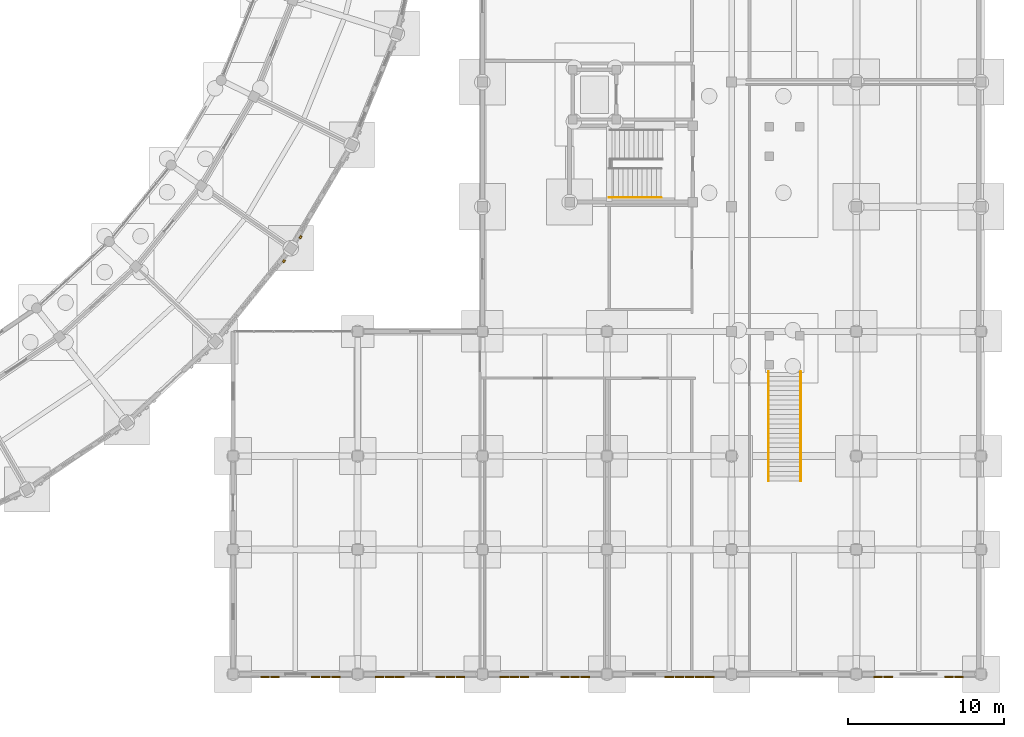
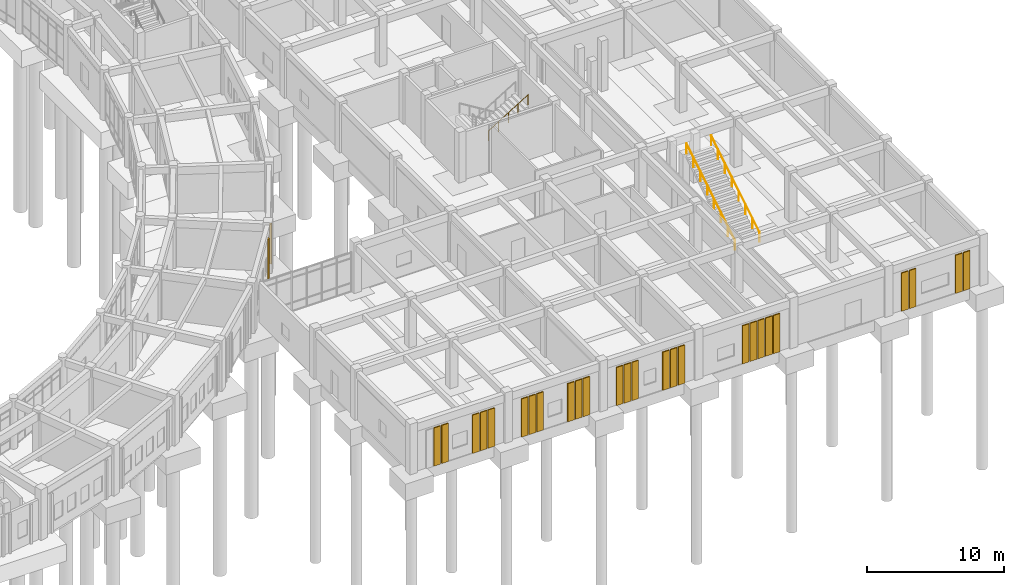
# One storey, part 150 of 153: 26 shading devices, 3 railings, 2 coverings.
"""IFC4 building model written with IfcOpenShell, lengths in metres."""

from ifc_helpers import new_model, si_unit, direction, frame, origin, origin_2d, place, context, subcontext, project, spatial, rectangle, circle, extrude, material, layer, layer_set, type_object, element, save


model = new_model("IFC4")

# Units and contexts
model_context = context("Model", 3, precision=1e-05, world=origin(), true_north=direction((0.0, 1.0)))
body_context = subcontext(model_context, "Body", "Model", "MODEL_VIEW")
ifc_project = project(units=[si_unit("LENGTHUNIT", "METRE"), si_unit("AREAUNIT", "SQUARE_METRE"), si_unit("VOLUMEUNIT", "CUBIC_METRE"), si_unit("PLANEANGLEUNIT", "RADIAN"), si_unit("MASSUNIT", "GRAM", prefix="KILO")], contexts=[model_context])

# Site, building, storey
site_placement = place(None, origin())
site = spatial("IfcSite", under=ifc_project, at=site_placement, CompositionType="ELEMENT")
building_placement = place(site_placement, origin())
building = spatial("IfcBuilding", under=site, at=building_placement, Name="Celadon Cloister-Ring School", CompositionType="ELEMENT")
storey_placement = place(building_placement, origin())
storey = spatial("IfcBuildingStorey", under=building, at=storey_placement, Name="L00", CompositionType="ELEMENT", Elevation=0.0)

# Coverings
ifc_material_1 = material(Name="Perforated terracotta clay brick masonry", Category="masonry")
ifc_layer = layer(ifc_material_1, 0.139892578125)
ifc_layer_set = layer_set([ifc_layer], Name="Perforated terracotta clay brick masonry")
covering_type = type_object("IfcCoveringType", Name="CV-SC1", PredefinedType="CLADDING", material=ifc_layer_set)
for number, where, z_axis, x_axis, name in (
    (1, (129.26611328125, 28.510009765625, 0.0), (0.0, 0.0, 1.0), (-0.629510264842, -0.776992166279, 0.0), "Brick Screen Rib 0074"),
    (2, (130.3359375, 30.049072265625, 0.0), (0.0, 0.0, 1.0), (-0.507809026694, -0.861469670045, 0.0), "Brick Screen Rib 0077"),
):
    element("IfcCovering", number, at=place(storey_placement, frame(where, z_axis=z_axis, x_axis=x_axis)), inside=storey, type_object=covering_type, Name=name, PredefinedType="CLADDING", context=body_context, shape_type="SweptSolid", body=[
        extrude(rectangle(XDim=0.179931640625, YDim=0.139892578125, at=origin_2d()), origin(), (0.0, 0.0, 1.0), 3.530029296875),
    ])

# Railings
ifc_material_2 = material(Name="Structural steel S355JR", Category="steel")
railing_type = type_object("IfcRailingType", Name="RL-HR1", PredefinedType="HANDRAIL", material=ifc_material_2)
railing_placement = place(storey_placement, frame((150.125, 32.5849609375, 2.43798828125)))
element("IfcRailing", 3, at=railing_placement, inside=storey, type_object=railing_type, Name="Stair Handrail 0171", PredefinedType="HANDRAIL", context=body_context, shape_type="SweptSolid", body=[
    extrude(circle(Radius=0.02099609375, at=origin_2d()), frame((0.0, 0.0, 0.87890625), z_axis=(0.85195193322, 0.0, 0.523619999125), x_axis=(0.0, 1.0, 0.0)), (0.0, 0.0, 1.0), 3.93798828125),
    extrude(circle(Radius=0.01806640625, at=origin_2d()), origin(), (0.0, 0.0, 1.0), 0.85791015625),
    extrude(circle(Radius=0.01806640625, at=origin_2d()), frame((0.8388671875, 0.0, 0.515625)), (0.0, 0.0, 1.0), 0.85791015625),
    extrude(circle(Radius=0.01806640625, at=origin_2d()), frame((1.677490234375, 0.0, 1.031005859375)), (0.0, 0.0, 1.0), 0.85791015625),
    extrude(circle(Radius=0.01806640625, at=origin_2d()), frame((2.51611328125, 0.0, 1.54638671875)), (0.0, 0.0, 1.0), 0.85791015625),
    extrude(circle(Radius=0.01806640625, at=origin_2d()), frame((3.35498046875, 0.0, 2.06201171875)), (0.0, 0.0, 1.0), 0.85791015625),
])
for number, where, name in (
    (4, (162.43505859375, 14.39990234375, 0.18798828125), "Stair Handrail 0292"),
    (5, (160.364990234375, 14.39990234375, 0.18798828125), "Stair Handrail 0293"),
):
    element("IfcRailing", number, at=place(storey_placement, frame(where)), inside=storey, type_object=railing_type, Name=name, PredefinedType="HANDRAIL", context=body_context, shape_type="SweptSolid", body=[
        extrude(circle(Radius=0.02099609375, at=origin_2d()), frame((0.0, 0.0, 0.87890625), z_axis=(0.0, 0.851928987039, 0.5236573317), x_axis=(-1.0, 0.0, 0.0)), (0.0, 0.0, 1.0), 8.234375),
        extrude(circle(Radius=0.01806640625, at=origin_2d()), origin(), (0.0, 0.0, 1.0), 0.85791015625),
        extrude(circle(Radius=0.01806640625, at=origin_2d()), frame((0.0, 1.002197265625, 0.615966796875)), (0.0, 0.0, 1.0), 0.85791015625),
        extrude(circle(Radius=0.01806640625, at=origin_2d()), frame((0.0, 2.00439453125, 1.23193359375)), (0.0, 0.0, 1.0), 0.85791015625),
        extrude(circle(Radius=0.01806640625, at=origin_2d()), frame((0.0, 3.006591796875, 1.847900390625)), (0.0, 0.0, 1.0), 0.85791015625),
        extrude(circle(Radius=0.01806640625, at=origin_2d()), frame((0.0, 4.008544921875, 2.464111328125)), (0.0, 0.0, 1.0), 0.85791015625),
        extrude(circle(Radius=0.01806640625, at=origin_2d()), frame((0.0, 5.0107421875, 3.080078125)), (0.0, 0.0, 1.0), 0.85791015625),
        extrude(circle(Radius=0.01806640625, at=origin_2d()), frame((0.0, 6.012939453125, 3.696044921875)), (0.0, 0.0, 1.0), 0.85791015625),
        extrude(circle(Radius=0.01806640625, at=origin_2d()), frame((0.0, 7.01513671875, 4.31201171875)), (0.0, 0.0, 1.0), 0.85791015625),
    ])

# Shading devices
ifc_material_3 = material(Name="Glazed celadon architectural terracotta", Category="masonry")
shading_device_type = type_object("IfcShadingDeviceType", Name="SD-02", PredefinedType="USERDEFINED", material=ifc_material_3)
for number, where, z_axis, x_axis, name in (
    (6, (172.60009765625, 1.818115234375, 0.0), (0.0, 0.0, 1.0), (-1.0, 0.0, 0.0), "Celadon Sunshade Screen 0001"),
    (7, (171.949951171875, 1.818115234375, 0.0), (0.0, 0.0, 1.0), (-1.0, 0.0, 0.0), "Celadon Sunshade Screen 0002"),
    (8, (168.050048828125, 1.818115234375, 0.0), (0.0, 0.0, 1.0), (-1.0, 0.0, 0.0), "Celadon Sunshade Screen 0003"),
    (9, (167.39990234375, 1.818115234375, 0.0), (0.0, 0.0, 1.0), (-1.0, 0.0, 0.0), "Celadon Sunshade Screen 0004"),
    (10, (156.60009765625, 1.818115234375, 0.0), (0.0, 0.0, 1.0), (-1.0, 0.0, 0.0), "Celadon Sunshade Screen 0005"),
    (11, (155.949951171875, 1.818115234375, 0.0), (0.0, 0.0, 1.0), (-1.0, 0.0, 0.0), "Celadon Sunshade Screen 0006"),
    (12, (155.300048828125, 1.818115234375, 0.0), (0.0, 0.0, 1.0), (-1.0, 0.0, 0.0), "Celadon Sunshade Screen 0007"),
    (13, (154.64990234375, 1.818115234375, 0.0), (0.0, 0.0, 1.0), (-1.0, 0.0, 0.0), "Celadon Sunshade Screen 0008"),
    (14, (154.0, 1.818115234375, 0.0), (0.0, 0.0, 1.0), (-1.0, 0.0, 0.0), "Celadon Sunshade Screen 0009"),
    (15, (148.60009765625, 1.818115234375, 0.0), (0.0, 0.0, 1.0), (-1.0, 0.0, 0.0), "Celadon Sunshade Screen 0010"),
    (16, (147.949951171875, 1.818115234375, 0.0), (0.0, 0.0, 1.0), (-1.0, 0.0, 0.0), "Celadon Sunshade Screen 0011"),
    (17, (147.300048828125, 1.818115234375, 0.0), (0.0, 0.0, 1.0), (-1.0, 0.0, 0.0), "Celadon Sunshade Screen 0012"),
    (18, (144.699951171875, 1.818115234375, 0.0), (0.0, 0.0, 1.0), (-1.0, 0.0, 0.0), "Celadon Sunshade Screen 0013"),
    (19, (144.050048828125, 1.818115234375, 0.0), (0.0, 0.0, 1.0), (-1.0, 0.0, 0.0), "Celadon Sunshade Screen 0014"),
    (20, (143.39990234375, 1.818115234375, 0.0), (0.0, 0.0, 1.0), (-1.0, 0.0, 0.0), "Celadon Sunshade Screen 0015"),
    (21, (140.60009765625, 1.818115234375, 0.0), (0.0, 0.0, 1.0), (-1.0, 0.0, 0.0), "Celadon Sunshade Screen 0016"),
    (22, (139.949951171875, 1.818115234375, 0.0), (0.0, 0.0, 1.0), (-1.0, 0.0, 0.0), "Celadon Sunshade Screen 0017"),
    (23, (139.300048828125, 1.818115234375, 0.0), (0.0, 0.0, 1.0), (-1.0, 0.0, 0.0), "Celadon Sunshade Screen 0018"),
    (24, (136.699951171875, 1.818115234375, 0.0), (0.0, 0.0, 1.0), (-1.0, 0.0, 0.0), "Celadon Sunshade Screen 0019"),
    (25, (136.050048828125, 1.818115234375, 0.0), (0.0, 0.0, 1.0), (-1.0, 0.0, 0.0), "Celadon Sunshade Screen 0020"),
    (26, (135.39990234375, 1.818115234375, 0.0), (0.0, 0.0, 1.0), (-1.0, 0.0, 0.0), "Celadon Sunshade Screen 0021"),
    (27, (132.60009765625, 1.818115234375, 0.0), (0.0, 0.0, 1.0), (-1.0, 0.0, 0.0), "Celadon Sunshade Screen 0022"),
    (28, (131.949951171875, 1.818115234375, 0.0), (0.0, 0.0, 1.0), (-1.0, 0.0, 0.0), "Celadon Sunshade Screen 0023"),
    (29, (131.300048828125, 1.818115234375, 0.0), (0.0, 0.0, 1.0), (-1.0, 0.0, 0.0), "Celadon Sunshade Screen 0024"),
    (30, (128.699951171875, 1.818115234375, 0.0), (0.0, 0.0, 1.0), (-1.0, 0.0, 0.0), "Celadon Sunshade Screen 0025"),
    (31, (128.050048828125, 1.818115234375, 0.0), (0.0, 0.0, 1.0), (-1.0, 0.0, 0.0), "Celadon Sunshade Screen 0026"),
):
    element("IfcShadingDevice", number, at=place(storey_placement, frame(where, z_axis=z_axis, x_axis=x_axis)), inside=storey, type_object=shading_device_type, Name=name, ObjectType="SUNSHADE", PredefinedType="USERDEFINED", context=body_context, shape_type="SweptSolid", body=[
        extrude(rectangle(XDim=0.56005859375, YDim=0.090087890625, at=origin_2d()), origin(), (0.0, 0.0, 1.0), 3.39990234375),
    ])

save(model, "model.ifc")
